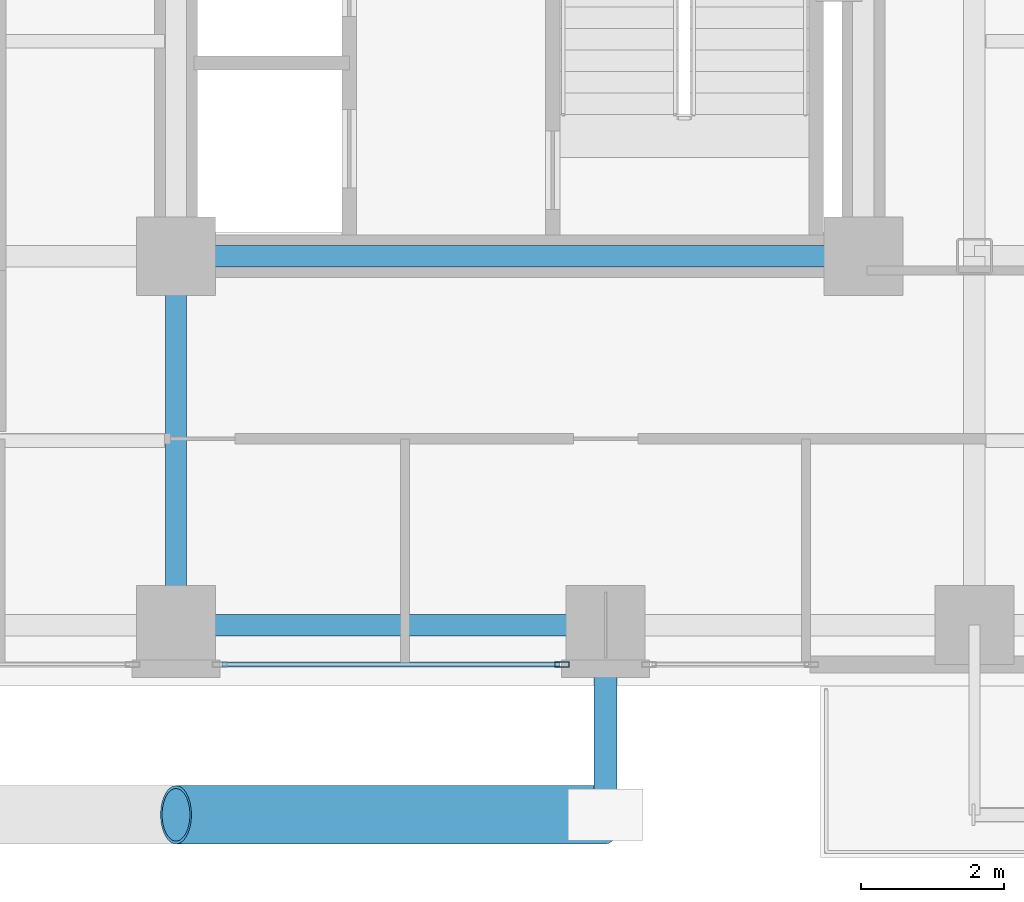
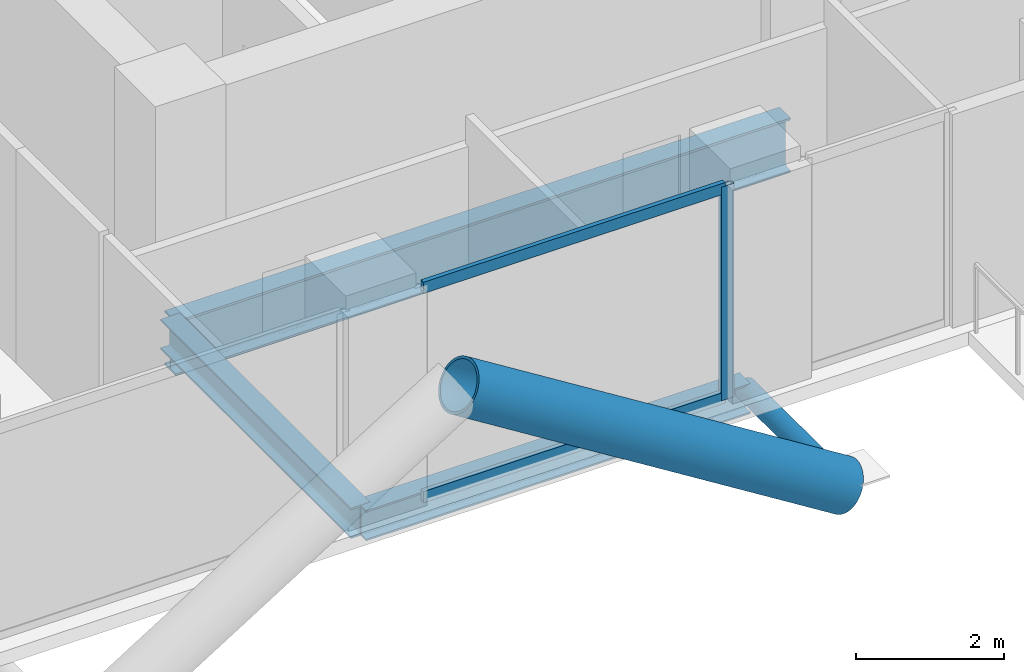
# One storey, part 5 of 28: 5 members, 3 beams, 1 element without a shape of its own.
"""IFC4 building model written with IfcOpenShell, lengths in metres."""

from ifc_helpers import new_model, si_unit, direction, frame, origin, origin_2d, place, context, subcontext, project, spatial, hollow_rectangle, hollow_circle, i_section, extrude, material, layer, layer_set, material_profile, profile_set, type_object, element, aggregate, save


model = new_model("IFC4")

# Units and contexts
model_context = context("Model", 3, precision=1e-05, world=origin(), true_north=direction((0.0, 1.0)))
body_context = subcontext(model_context, "Body", "Model", "MODEL_VIEW")
ifc_project = project(units=[si_unit("LENGTHUNIT", "METRE"), si_unit("AREAUNIT", "SQUARE_METRE"), si_unit("VOLUMEUNIT", "CUBIC_METRE"), si_unit("PLANEANGLEUNIT", "RADIAN"), si_unit("MASSUNIT", "GRAM", prefix="KILO"), si_unit("THERMODYNAMICTEMPERATUREUNIT", "KELVIN"), si_unit("POWERUNIT", "WATT")], contexts=[model_context])

# Site, building, storey
site_placement = place(None, origin())
site = spatial("IfcSite", under=ifc_project, at=site_placement, CompositionType="ELEMENT")
building_placement = place(site_placement, origin())
building = spatial("IfcBuilding", under=site, at=building_placement, Name="Svarakhadi Broadcast Tower", CompositionType="ELEMENT")
storey_placement = place(building_placement, frame((0.0, 0.0, 103.35009765625)))
storey = spatial("IfcBuildingStorey", under=building, at=storey_placement, Name="L24", CompositionType="ELEMENT", Elevation=103.35009765625)

# Curtain wall, members
ifc_material_1 = material(Name="Anodised Bronze Aluminium AA 6063-T6", Category="aluminium")
ifc_layer = layer(ifc_material_1, 0.199951171875)
ifc_layer_set = layer_set([ifc_layer], Name="Anodised Bronze Aluminium AA 6063-T6")
curtain_wall_type = type_object("IfcCurtainWallType", Name="CW_Sys_03", PredefinedType="NOTDEFINED", material=ifc_layer_set)
curtain_wall_placement = place(storey_placement, origin())
curtain_wall = element("IfcCurtainWall", 1, at=curtain_wall_placement, inside=storey, type_object=curtain_wall_type, Name="L24 South Curtain Wall 17 Bay 2", PredefinedType="NOTDEFINED")
ifc_material_profile_1 = material_profile(ifc_material_1, hollow_rectangle(XDim=0.074951171875, YDim=0.199951171875, WallThickness=0.005615234375, at=origin_2d()), Name="ALU MULLION 200x75x6")
ifc_profile_set_1 = profile_set([ifc_material_profile_1], Name="Anodised Bronze Aluminium AA 6063-T6")
member_type_1 = type_object("IfcMemberType", Name="CW_Sys_03_Mul", PredefinedType="MULLION", material=ifc_profile_set_1)
member_1_placement = place(storey_placement, frame((29.392578125, 0.300048828125, 0.0), z_axis=(0.0, 0.0, 1.0), x_axis=(0.0, -1.0, 0.0)))
member_1 = element("IfcMember", 2, at=member_1_placement, type_object=member_type_1, Name="CW-03 mullion 1", PredefinedType="MULLION", context=body_context, shape_type="SweptSolid", body=[
    extrude(hollow_rectangle(XDim=0.074951171875, YDim=0.199951171875, WallThickness=0.005615234375, at=origin_2d()), origin(), (0.0, 0.0, 1.0), 3.52490234375),
])
ifc_material_profile_2 = material_profile(ifc_material_1, hollow_rectangle(XDim=0.070068359375, YDim=0.18505859375, WallThickness=0.0048828125, at=origin_2d()), Name="ALU TRANSOM 185x70x5")
ifc_profile_set_2 = profile_set([ifc_material_profile_2], Name="Anodised Bronze Aluminium AA 6063-T6")
member_type_2 = type_object("IfcMemberType", Name="CW_Sys_03_Trn", PredefinedType="USERDEFINED", material=ifc_profile_set_2)
member_2_placement = place(storey_placement, frame((29.35498046875, 0.300048828125, 0.034912109375), z_axis=(-1.0, 0.0, 0.0), x_axis=(0.0, -1.0, 0.0)))
member_2 = element("IfcMember", 3, at=member_2_placement, type_object=member_type_2, Name="CW-03 transom 1.1", ObjectType="TRANSOM", PredefinedType="USERDEFINED", context=body_context, shape_type="SweptSolid", body=[
    extrude(hollow_rectangle(XDim=0.070068359375, YDim=0.18505859375, WallThickness=0.0048828125, at=origin_2d()), origin(), (0.0, 0.0, 1.0), 4.7099609375),
])
member_3_placement = place(storey_placement, frame((29.35498046875, 0.300048828125, 3.489990234375), z_axis=(-1.0, 0.0, 0.0), x_axis=(0.0, -1.0, 0.0)))
member_3 = element("IfcMember", 4, at=member_3_placement, type_object=member_type_2, Name="CW-03 transom 1.2", ObjectType="TRANSOM", PredefinedType="USERDEFINED", context=body_context, shape_type="SweptSolid", body=[
    extrude(hollow_rectangle(XDim=0.070068359375, YDim=0.18505859375, WallThickness=0.0048828125, at=origin_2d()), origin(), (0.0, 0.0, 1.0), 4.7099609375),
])
aggregate(curtain_wall, [member_1, member_2, member_3])

# Members
ifc_material_2 = material(Name="Steel S460ML (IS 2062 E450BR)", Category="steel")
ifc_material_profile_3 = material_profile(ifc_material_2, hollow_circle(Radius=0.406494140625, WallThickness=0.0400390625, at=origin_2d()), Name="CHS 813x40")
ifc_profile_set_3 = profile_set([ifc_material_profile_3], Name="Steel S460ML (IS 2062 E450BR)")
member_type_3 = type_object("IfcMemberType", Name="Exo_Brace_CHS813", PredefinedType="BRACE", material=ifc_profile_set_3)
member_4_placement = place(storey_placement, frame((30.0, -1.800048828125, -0.386962890625), z_axis=(-0.847998304005, 0.0, 0.529998940003), x_axis=(0.0, -1.0, 0.0)))
element("IfcMember", 5, at=member_4_placement, inside=storey, type_object=member_type_3, Name="L24 Exposed Bronze Exoskeleton Diagonal S04", PredefinedType="BRACE", context=body_context, shape_type="SweptSolid", body=[
    extrude(hollow_circle(Radius=0.406494140625, WallThickness=0.0400390625, at=origin_2d()), origin(), (0.0, 0.0, 1.0), 7.075439453125),
])
ifc_material_profile_4 = material_profile(ifc_material_2, hollow_circle(Radius=0.161865234375, WallThickness=0.01611328125, at=origin_2d()), Name="CHS 323.9x16")
ifc_profile_set_4 = profile_set([ifc_material_profile_4], Name="Steel S460ML (IS 2062 E450BR)")
member_type_4 = type_object("IfcMemberType", Name="Exo_Radial_Strut_Z2", PredefinedType="STRUT", material=ifc_profile_set_4)
member_5_placement = place(storey_placement, frame((30.0, -1.800048828125, -0.386962890625), z_axis=(0.0, 1.0, 0.0), x_axis=(-1.0, 0.0, 0.0)))
element("IfcMember", 6, at=member_5_placement, inside=storey, type_object=member_type_4, Name="L24 Exoskeleton Radial Tie Strut S03", PredefinedType="STRUT", context=body_context, shape_type="SweptSolid", body=[
    extrude(hollow_circle(Radius=0.161865234375, WallThickness=0.01611328125, at=origin_2d()), origin(), (0.0, 0.0, 1.0), 2.650146484375),
])

# Beams
ifc_material_3 = material(Name="Steel S355J2 (IS 2062 E350C)", Category="steel")
ifc_material_profile_5 = material_profile(ifc_material_3, i_section(OverallWidth=0.300048828125, OverallDepth=0.5, WebThickness=0.014404296875, FlangeThickness=0.028076171875, FilletRadius=0.027099609375, at=origin_2d()), Name="WPB 500x300x187")
ifc_profile_set_5 = profile_set([ifc_material_profile_5], Name="Steel S355J2 (IS 2062 E350C)")
beam_type_1 = type_object("IfcBeamType", Name="Girder_WPB500", PredefinedType="USERDEFINED", material=ifc_profile_set_5)
beam_1_placement = place(storey_placement, frame((24.0, 0.85009765625, -0.47509765625), z_axis=(1.0, 0.0, 0.0), x_axis=(0.0, 1.0, 0.0)))
element("IfcBeam", 7, at=beam_1_placement, inside=storey, type_object=beam_type_1, Name="L24 Primary E-W Girder G007", ObjectType="GIRDER", PredefinedType="USERDEFINED", context=body_context, shape_type="SweptSolid", body=[
    extrude(i_section(OverallWidth=0.300048828125, OverallDepth=0.5, WebThickness=0.014404296875, FlangeThickness=0.028076171875, FilletRadius=0.027099609375, at=origin_2d()), origin(), (0.0, 0.0, 1.0), 6.0),
])
beam_2_placement = place(storey_placement, frame((24.0, 0.85009765625, -0.47509765625), z_axis=(0.0, 1.0, 0.0), x_axis=(-1.0, 0.0, 0.0)))
element("IfcBeam", 8, at=beam_2_placement, inside=storey, type_object=beam_type_1, Name="L24 Primary N-S Girder G062", ObjectType="GIRDER", PredefinedType="USERDEFINED", context=body_context, shape_type="SweptSolid", body=[
    extrude(i_section(OverallWidth=0.300048828125, OverallDepth=0.5, WebThickness=0.014404296875, FlangeThickness=0.028076171875, FilletRadius=0.027099609375, at=origin_2d()), origin(), (0.0, 0.0, 1.0), 5.14990234375),
])
ifc_material_profile_6 = material_profile(ifc_material_2, i_section(OverallWidth=0.300048828125, OverallDepth=0.89990234375, WebThickness=0.0185546875, FlangeThickness=0.034912109375, FilletRadius=0.030029296875, at=origin_2d()), Name="WPB 900x300x291")
ifc_profile_set_6 = profile_set([ifc_material_profile_6], Name="Steel S460ML (IS 2062 E450BR)")
beam_type_2 = type_object("IfcBeamType", Name="Girder_WPB900", PredefinedType="USERDEFINED", material=ifc_profile_set_6)
beam_3_placement = place(storey_placement, frame((24.0, 6.0, -0.675048828125), z_axis=(1.0, 0.0, 0.0), x_axis=(0.0, 1.0, 0.0)))
element("IfcBeam", 9, at=beam_3_placement, inside=storey, type_object=beam_type_2, Name="L24 Primary E-W Girder G014", ObjectType="GIRDER", PredefinedType="USERDEFINED", context=body_context, shape_type="SweptSolid", body=[
    extrude(i_section(OverallWidth=0.300048828125, OverallDepth=0.89990234375, WebThickness=0.0185546875, FlangeThickness=0.034912109375, FilletRadius=0.030029296875, at=origin_2d()), origin(), (0.0, 0.0, 1.0), 9.60009765625),
])

save(model, "model.ifc")
